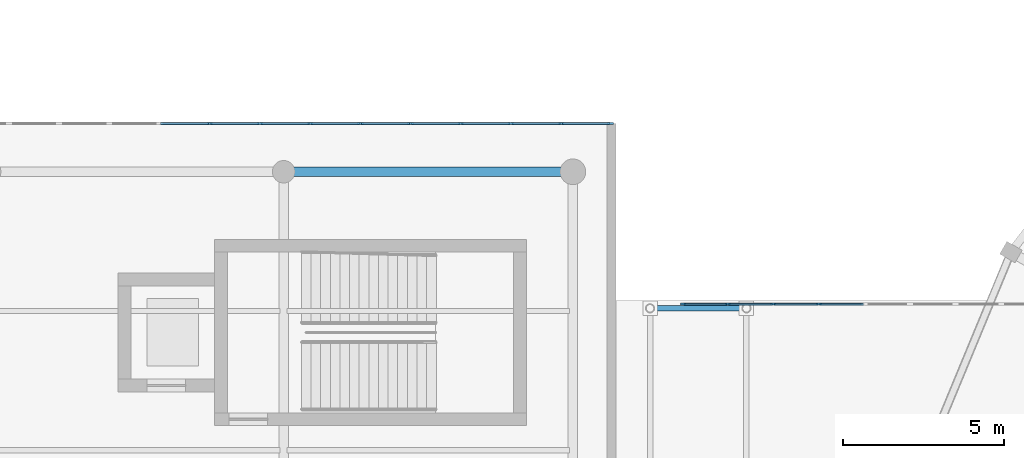
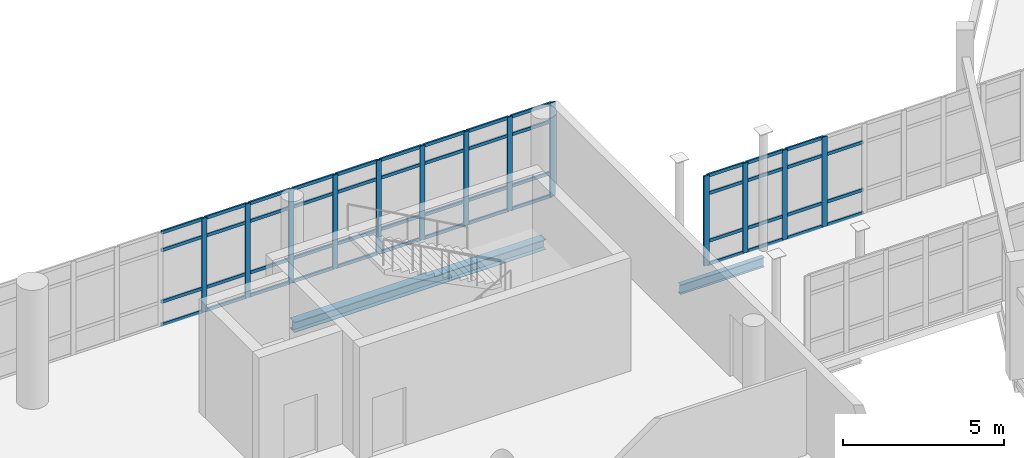
# One storey, part 51 of 122: 64 members, 2 beams, 2 elements without a shape of their own.
"""IFC4 building model written with IfcOpenShell, lengths in metres."""

from ifc_helpers import new_model, si_unit, direction, frame, origin, origin_2d, place, context, subcontext, project, spatial, rectangle, i_section, extrude, material, layer, layer_set, material_profile, profile_set, type_object, element, aggregate, save


model = new_model("IFC4")

# Units and contexts
model_context = context("Model", 3, precision=1e-05, world=origin(), true_north=direction((0.0, 1.0)))
body_context = subcontext(model_context, "Body", "Model", "MODEL_VIEW")
ifc_project = project(units=[si_unit("LENGTHUNIT", "METRE"), si_unit("AREAUNIT", "SQUARE_METRE"), si_unit("VOLUMEUNIT", "CUBIC_METRE"), si_unit("PLANEANGLEUNIT", "RADIAN"), si_unit("MASSUNIT", "GRAM", prefix="KILO")], contexts=[model_context])

# Site, building, storey
site_placement = place(None, origin())
site = spatial("IfcSite", under=ifc_project, at=site_placement, CompositionType="ELEMENT")
building_placement = place(site_placement, origin())
building = spatial("IfcBuilding", under=site, at=building_placement, Name="Sohan Crest Arena", CompositionType="ELEMENT")
storey_placement = place(building_placement, origin())
storey = spatial("IfcBuildingStorey", under=building, at=storey_placement, Name="L00", CompositionType="ELEMENT", Elevation=0.0)

# Curtain wall, members
ifc_material_1 = material(Name="Thermally broken anodised aluminium", Category="aluminium")
ifc_layer_1 = layer(ifc_material_1, 0.199951171875, Name="Thermally broken anodised aluminium")
ifc_layer_set_1 = layer_set([ifc_layer_1], Name="Thermally broken anodised aluminium")
curtain_wall_type_1 = type_object("IfcCurtainWallType", Name="ARC-CW02", PredefinedType="NOTDEFINED", material=ifc_layer_set_1)
curtain_wall_1_placement = place(storey_placement, origin())
curtain_wall_1 = element("IfcCurtainWall", 1, at=curtain_wall_1_placement, inside=storey, type_object=curtain_wall_type_1, Name="Unitised curtain wall CW-203", PredefinedType="NOTDEFINED")
ifc_material_profile_1 = material_profile(ifc_material_1, rectangle(XDim=0.06494140625, YDim=0.179931640625, at=origin_2d()), Name="ALU-MULL 65x180")
ifc_profile_set_1 = profile_set([ifc_material_profile_1], Name="Thermally broken anodised aluminium")
member_type_1 = type_object("IfcMemberType", Name="ARC-CW-ML02", PredefinedType="MULLION", material=ifc_profile_set_1)
member_1_placement = place(storey_placement, frame((43.967529296875, 106.0, 0.0), z_axis=(0.0, 0.0, 1.0), x_axis=(0.0, -1.0, 0.0)))
member_1 = element("IfcMember", 2, at=member_1_placement, type_object=member_type_1, Name="CW-203 mullion 1", PredefinedType="MULLION", context=body_context, shape_type="SweptSolid", body=[
    extrude(rectangle(XDim=0.06494140625, YDim=0.179931640625, at=origin_2d()), origin(), (0.0, 0.0, 1.0), 3.550048828125),
])
member_2_placement = place(storey_placement, frame((42.4375, 106.0, 0.0), z_axis=(0.0, 0.0, 1.0), x_axis=(0.0, -1.0, 0.0)))
member_2 = element("IfcMember", 3, at=member_2_placement, type_object=member_type_1, Name="CW-203 mullion 2", PredefinedType="MULLION", context=body_context, shape_type="SweptSolid", body=[
    extrude(rectangle(XDim=0.06494140625, YDim=0.179931640625, at=origin_2d()), origin(), (0.0, 0.0, 1.0), 3.550048828125),
])
member_3_placement = place(storey_placement, frame((40.875, 106.0, 0.0), z_axis=(0.0, 0.0, 1.0), x_axis=(0.0, -1.0, 0.0)))
member_3 = element("IfcMember", 4, at=member_3_placement, type_object=member_type_1, Name="CW-203 mullion 3", PredefinedType="MULLION", context=body_context, shape_type="SweptSolid", body=[
    extrude(rectangle(XDim=0.06494140625, YDim=0.179931640625, at=origin_2d()), origin(), (0.0, 0.0, 1.0), 3.550048828125),
])
member_4_placement = place(storey_placement, frame((39.3125, 106.0, 0.0), z_axis=(0.0, 0.0, 1.0), x_axis=(0.0, -1.0, 0.0)))
member_4 = element("IfcMember", 5, at=member_4_placement, type_object=member_type_1, Name="CW-203 mullion 4", PredefinedType="MULLION", context=body_context, shape_type="SweptSolid", body=[
    extrude(rectangle(XDim=0.06494140625, YDim=0.179931640625, at=origin_2d()), origin(), (0.0, 0.0, 1.0), 3.550048828125),
])
member_5_placement = place(storey_placement, frame((37.75, 106.0, 0.0), z_axis=(0.0, 0.0, 1.0), x_axis=(0.0, -1.0, 0.0)))
member_5 = element("IfcMember", 6, at=member_5_placement, type_object=member_type_1, Name="CW-203 mullion 5", PredefinedType="MULLION", context=body_context, shape_type="SweptSolid", body=[
    extrude(rectangle(XDim=0.06494140625, YDim=0.179931640625, at=origin_2d()), origin(), (0.0, 0.0, 1.0), 3.550048828125),
])
member_6_placement = place(storey_placement, frame((36.1875, 106.0, 0.0), z_axis=(0.0, 0.0, 1.0), x_axis=(0.0, -1.0, 0.0)))
member_6 = element("IfcMember", 7, at=member_6_placement, type_object=member_type_1, Name="CW-203 mullion 6", PredefinedType="MULLION", context=body_context, shape_type="SweptSolid", body=[
    extrude(rectangle(XDim=0.06494140625, YDim=0.179931640625, at=origin_2d()), origin(), (0.0, 0.0, 1.0), 3.550048828125),
])
member_7_placement = place(storey_placement, frame((34.625, 106.0, 0.0), z_axis=(0.0, 0.0, 1.0), x_axis=(0.0, -1.0, 0.0)))
member_7 = element("IfcMember", 8, at=member_7_placement, type_object=member_type_1, Name="CW-203 mullion 7", PredefinedType="MULLION", context=body_context, shape_type="SweptSolid", body=[
    extrude(rectangle(XDim=0.06494140625, YDim=0.179931640625, at=origin_2d()), origin(), (0.0, 0.0, 1.0), 3.550048828125),
])
member_8_placement = place(storey_placement, frame((33.0625, 106.0, 0.0), z_axis=(0.0, 0.0, 1.0), x_axis=(0.0, -1.0, 0.0)))
member_8 = element("IfcMember", 9, at=member_8_placement, type_object=member_type_1, Name="CW-203 mullion 8", PredefinedType="MULLION", context=body_context, shape_type="SweptSolid", body=[
    extrude(rectangle(XDim=0.06494140625, YDim=0.179931640625, at=origin_2d()), origin(), (0.0, 0.0, 1.0), 3.550048828125),
])
member_9_placement = place(storey_placement, frame((31.5, 106.0, 0.0), z_axis=(0.0, 0.0, 1.0), x_axis=(0.0, -1.0, 0.0)))
member_9 = element("IfcMember", 10, at=member_9_placement, type_object=member_type_1, Name="CW-203 mullion 9", PredefinedType="MULLION", context=body_context, shape_type="SweptSolid", body=[
    extrude(rectangle(XDim=0.06494140625, YDim=0.179931640625, at=origin_2d()), origin(), (0.0, 0.0, 1.0), 3.550048828125),
])

ifc_layer_2 = layer(ifc_material_1, 0.18994140625, Name="Thermally broken anodised aluminium")
ifc_layer_set_2 = layer_set([ifc_layer_2], Name="Thermally broken anodised aluminium")
curtain_wall_type_2 = type_object("IfcCurtainWallType", Name="ARC-CW05", PredefinedType="NOTDEFINED", material=ifc_layer_set_2)
curtain_wall_2_placement = place(storey_placement, origin())
curtain_wall_2 = element("IfcCurtainWall", 11, at=curtain_wall_2_placement, inside=storey, type_object=curtain_wall_type_2, Name="Unitised curtain wall CW-232", PredefinedType="NOTDEFINED")
member_10_placement = place(storey_placement, frame((46.232421875, 100.3798828125, 0.0), z_axis=(0.0, 0.0, 1.0), x_axis=(0.0, 1.0, 0.0)))
member_10 = element("IfcMember", 12, at=member_10_placement, type_object=member_type_1, Name="CW-232 mullion 1", PredefinedType="MULLION", context=body_context, shape_type="SweptSolid", body=[
    extrude(rectangle(XDim=0.06494140625, YDim=0.179931640625, at=origin_2d()), origin(), (0.0, 0.0, 1.0), 3.39990234375),
])
member_11_placement = place(storey_placement, frame((47.6181640625, 100.3798828125, 0.0), z_axis=(0.0, 0.0, 1.0), x_axis=(0.0, 1.0, 0.0)))
member_11 = element("IfcMember", 13, at=member_11_placement, type_object=member_type_1, Name="CW-232 mullion 2", PredefinedType="MULLION", context=body_context, shape_type="SweptSolid", body=[
    extrude(rectangle(XDim=0.06494140625, YDim=0.179931640625, at=origin_2d()), origin(), (0.0, 0.0, 1.0), 3.39990234375),
])
member_12_placement = place(storey_placement, frame((49.036376953125, 100.3798828125, 0.0), z_axis=(0.0, 0.0, 1.0), x_axis=(0.0, 1.0, 0.0)))
member_12 = element("IfcMember", 14, at=member_12_placement, type_object=member_type_1, Name="CW-232 mullion 3", PredefinedType="MULLION", context=body_context, shape_type="SweptSolid", body=[
    extrude(rectangle(XDim=0.06494140625, YDim=0.179931640625, at=origin_2d()), origin(), (0.0, 0.0, 1.0), 3.39990234375),
])
member_13_placement = place(storey_placement, frame((50.45458984375, 100.3798828125, 0.0), z_axis=(0.0, 0.0, 1.0), x_axis=(0.0, 1.0, 0.0)))
member_13 = element("IfcMember", 15, at=member_13_placement, type_object=member_type_1, Name="CW-232 mullion 4", PredefinedType="MULLION", context=body_context, shape_type="SweptSolid", body=[
    extrude(rectangle(XDim=0.06494140625, YDim=0.179931640625, at=origin_2d()), origin(), (0.0, 0.0, 1.0), 3.39990234375),
])

# Member
ifc_material_profile_2 = material_profile(ifc_material_1, rectangle(XDim=0.06005859375, YDim=0.1201171875, at=origin_2d()), Name="ALU-TRAN 60x120")
ifc_profile_set_2 = profile_set([ifc_material_profile_2], Name="Thermally broken anodised aluminium")
member_type_2 = type_object("IfcMemberType", Name="ARC-CW-TR01", PredefinedType="USERDEFINED", material=ifc_profile_set_2)
member_14_placement = place(storey_placement, frame((43.93505859375, 106.0, 0.030029296875), z_axis=(-1.0, 0.0, 0.0), x_axis=(0.0, -1.0, 0.0)))
member_14 = element("IfcMember", 16, at=member_14_placement, type_object=member_type_2, Name="CW-203 transom 1.1", ObjectType="TRANSOM", PredefinedType="USERDEFINED", context=body_context, shape_type="SweptSolid", body=[
    extrude(rectangle(XDim=0.06005859375, YDim=0.1201171875, at=origin_2d()), origin(), (0.0, 0.0, 1.0), 1.465087890625),
])

member_15_placement = place(storey_placement, frame((43.93505859375, 106.0, 0.89990234375), z_axis=(-1.0, 0.0, 0.0), x_axis=(0.0, -1.0, 0.0)))
member_15 = element("IfcMember", 17, at=member_15_placement, type_object=member_type_2, Name="CW-203 transom 1.2", ObjectType="TRANSOM", PredefinedType="USERDEFINED", context=body_context, shape_type="SweptSolid", body=[
    extrude(rectangle(XDim=0.06005859375, YDim=0.1201171875, at=origin_2d()), origin(), (0.0, 0.0, 1.0), 1.465087890625),
])

member_16_placement = place(storey_placement, frame((43.93505859375, 106.0, 2.85009765625), z_axis=(-1.0, 0.0, 0.0), x_axis=(0.0, -1.0, 0.0)))
member_16 = element("IfcMember", 18, at=member_16_placement, type_object=member_type_2, Name="CW-203 transom 1.3", ObjectType="TRANSOM", PredefinedType="USERDEFINED", context=body_context, shape_type="SweptSolid", body=[
    extrude(rectangle(XDim=0.06005859375, YDim=0.1201171875, at=origin_2d()), origin(), (0.0, 0.0, 1.0), 1.465087890625),
])

member_17_placement = place(storey_placement, frame((43.93505859375, 106.0, 3.52001953125), z_axis=(-1.0, 0.0, 0.0), x_axis=(0.0, -1.0, 0.0)))
member_17 = element("IfcMember", 19, at=member_17_placement, type_object=member_type_2, Name="CW-203 transom 1.4", ObjectType="TRANSOM", PredefinedType="USERDEFINED", context=body_context, shape_type="SweptSolid", body=[
    extrude(rectangle(XDim=0.06005859375, YDim=0.1201171875, at=origin_2d()), origin(), (0.0, 0.0, 1.0), 1.465087890625),
])

member_18_placement = place(storey_placement, frame((42.405029296875, 106.0, 0.030029296875), z_axis=(-1.0, 0.0, 0.0), x_axis=(0.0, -1.0, 0.0)))
member_18 = element("IfcMember", 20, at=member_18_placement, type_object=member_type_2, Name="CW-203 transom 2.1", ObjectType="TRANSOM", PredefinedType="USERDEFINED", context=body_context, shape_type="SweptSolid", body=[
    extrude(rectangle(XDim=0.06005859375, YDim=0.1201171875, at=origin_2d()), origin(), (0.0, 0.0, 1.0), 1.49755859375),
])

member_19_placement = place(storey_placement, frame((42.405029296875, 106.0, 0.89990234375), z_axis=(-1.0, 0.0, 0.0), x_axis=(0.0, -1.0, 0.0)))
member_19 = element("IfcMember", 21, at=member_19_placement, type_object=member_type_2, Name="CW-203 transom 2.2", ObjectType="TRANSOM", PredefinedType="USERDEFINED", context=body_context, shape_type="SweptSolid", body=[
    extrude(rectangle(XDim=0.06005859375, YDim=0.1201171875, at=origin_2d()), origin(), (0.0, 0.0, 1.0), 1.49755859375),
])

member_20_placement = place(storey_placement, frame((42.405029296875, 106.0, 2.85009765625), z_axis=(-1.0, 0.0, 0.0), x_axis=(0.0, -1.0, 0.0)))
member_20 = element("IfcMember", 22, at=member_20_placement, type_object=member_type_2, Name="CW-203 transom 2.3", ObjectType="TRANSOM", PredefinedType="USERDEFINED", context=body_context, shape_type="SweptSolid", body=[
    extrude(rectangle(XDim=0.06005859375, YDim=0.1201171875, at=origin_2d()), origin(), (0.0, 0.0, 1.0), 1.49755859375),
])

member_21_placement = place(storey_placement, frame((42.405029296875, 106.0, 3.52001953125), z_axis=(-1.0, 0.0, 0.0), x_axis=(0.0, -1.0, 0.0)))
member_21 = element("IfcMember", 23, at=member_21_placement, type_object=member_type_2, Name="CW-203 transom 2.4", ObjectType="TRANSOM", PredefinedType="USERDEFINED", context=body_context, shape_type="SweptSolid", body=[
    extrude(rectangle(XDim=0.06005859375, YDim=0.1201171875, at=origin_2d()), origin(), (0.0, 0.0, 1.0), 1.49755859375),
])

member_22_placement = place(storey_placement, frame((40.842529296875, 106.0, 0.030029296875), z_axis=(-1.0, 0.0, 0.0), x_axis=(0.0, -1.0, 0.0)))
member_22 = element("IfcMember", 24, at=member_22_placement, type_object=member_type_2, Name="CW-203 transom 3.1", ObjectType="TRANSOM", PredefinedType="USERDEFINED", context=body_context, shape_type="SweptSolid", body=[
    extrude(rectangle(XDim=0.06005859375, YDim=0.1201171875, at=origin_2d()), origin(), (0.0, 0.0, 1.0), 1.49755859375),
])

member_23_placement = place(storey_placement, frame((40.842529296875, 106.0, 0.89990234375), z_axis=(-1.0, 0.0, 0.0), x_axis=(0.0, -1.0, 0.0)))
member_23 = element("IfcMember", 25, at=member_23_placement, type_object=member_type_2, Name="CW-203 transom 3.2", ObjectType="TRANSOM", PredefinedType="USERDEFINED", context=body_context, shape_type="SweptSolid", body=[
    extrude(rectangle(XDim=0.06005859375, YDim=0.1201171875, at=origin_2d()), origin(), (0.0, 0.0, 1.0), 1.49755859375),
])

member_24_placement = place(storey_placement, frame((40.842529296875, 106.0, 2.85009765625), z_axis=(-1.0, 0.0, 0.0), x_axis=(0.0, -1.0, 0.0)))
member_24 = element("IfcMember", 26, at=member_24_placement, type_object=member_type_2, Name="CW-203 transom 3.3", ObjectType="TRANSOM", PredefinedType="USERDEFINED", context=body_context, shape_type="SweptSolid", body=[
    extrude(rectangle(XDim=0.06005859375, YDim=0.1201171875, at=origin_2d()), origin(), (0.0, 0.0, 1.0), 1.49755859375),
])

member_25_placement = place(storey_placement, frame((40.842529296875, 106.0, 3.52001953125), z_axis=(-1.0, 0.0, 0.0), x_axis=(0.0, -1.0, 0.0)))
member_25 = element("IfcMember", 27, at=member_25_placement, type_object=member_type_2, Name="CW-203 transom 3.4", ObjectType="TRANSOM", PredefinedType="USERDEFINED", context=body_context, shape_type="SweptSolid", body=[
    extrude(rectangle(XDim=0.06005859375, YDim=0.1201171875, at=origin_2d()), origin(), (0.0, 0.0, 1.0), 1.49755859375),
])

member_26_placement = place(storey_placement, frame((39.280029296875, 106.0, 0.030029296875), z_axis=(-1.0, 0.0, 0.0), x_axis=(0.0, -1.0, 0.0)))
member_26 = element("IfcMember", 28, at=member_26_placement, type_object=member_type_2, Name="CW-203 transom 4.1", ObjectType="TRANSOM", PredefinedType="USERDEFINED", context=body_context, shape_type="SweptSolid", body=[
    extrude(rectangle(XDim=0.06005859375, YDim=0.1201171875, at=origin_2d()), origin(), (0.0, 0.0, 1.0), 1.49755859375),
])

member_27_placement = place(storey_placement, frame((39.280029296875, 106.0, 0.89990234375), z_axis=(-1.0, 0.0, 0.0), x_axis=(0.0, -1.0, 0.0)))
member_27 = element("IfcMember", 29, at=member_27_placement, type_object=member_type_2, Name="CW-203 transom 4.2", ObjectType="TRANSOM", PredefinedType="USERDEFINED", context=body_context, shape_type="SweptSolid", body=[
    extrude(rectangle(XDim=0.06005859375, YDim=0.1201171875, at=origin_2d()), origin(), (0.0, 0.0, 1.0), 1.49755859375),
])

member_28_placement = place(storey_placement, frame((39.280029296875, 106.0, 2.85009765625), z_axis=(-1.0, 0.0, 0.0), x_axis=(0.0, -1.0, 0.0)))
member_28 = element("IfcMember", 30, at=member_28_placement, type_object=member_type_2, Name="CW-203 transom 4.3", ObjectType="TRANSOM", PredefinedType="USERDEFINED", context=body_context, shape_type="SweptSolid", body=[
    extrude(rectangle(XDim=0.06005859375, YDim=0.1201171875, at=origin_2d()), origin(), (0.0, 0.0, 1.0), 1.49755859375),
])

member_29_placement = place(storey_placement, frame((39.280029296875, 106.0, 3.52001953125), z_axis=(-1.0, 0.0, 0.0), x_axis=(0.0, -1.0, 0.0)))
member_29 = element("IfcMember", 31, at=member_29_placement, type_object=member_type_2, Name="CW-203 transom 4.4", ObjectType="TRANSOM", PredefinedType="USERDEFINED", context=body_context, shape_type="SweptSolid", body=[
    extrude(rectangle(XDim=0.06005859375, YDim=0.1201171875, at=origin_2d()), origin(), (0.0, 0.0, 1.0), 1.49755859375),
])

member_30_placement = place(storey_placement, frame((37.717529296875, 106.0, 0.030029296875), z_axis=(-1.0, 0.0, 0.0), x_axis=(0.0, -1.0, 0.0)))
member_30 = element("IfcMember", 32, at=member_30_placement, type_object=member_type_2, Name="CW-203 transom 5.1", ObjectType="TRANSOM", PredefinedType="USERDEFINED", context=body_context, shape_type="SweptSolid", body=[
    extrude(rectangle(XDim=0.06005859375, YDim=0.1201171875, at=origin_2d()), origin(), (0.0, 0.0, 1.0), 1.49755859375),
])

member_31_placement = place(storey_placement, frame((37.717529296875, 106.0, 0.89990234375), z_axis=(-1.0, 0.0, 0.0), x_axis=(0.0, -1.0, 0.0)))
member_31 = element("IfcMember", 33, at=member_31_placement, type_object=member_type_2, Name="CW-203 transom 5.2", ObjectType="TRANSOM", PredefinedType="USERDEFINED", context=body_context, shape_type="SweptSolid", body=[
    extrude(rectangle(XDim=0.06005859375, YDim=0.1201171875, at=origin_2d()), origin(), (0.0, 0.0, 1.0), 1.49755859375),
])

member_32_placement = place(storey_placement, frame((37.717529296875, 106.0, 2.85009765625), z_axis=(-1.0, 0.0, 0.0), x_axis=(0.0, -1.0, 0.0)))
member_32 = element("IfcMember", 34, at=member_32_placement, type_object=member_type_2, Name="CW-203 transom 5.3", ObjectType="TRANSOM", PredefinedType="USERDEFINED", context=body_context, shape_type="SweptSolid", body=[
    extrude(rectangle(XDim=0.06005859375, YDim=0.1201171875, at=origin_2d()), origin(), (0.0, 0.0, 1.0), 1.49755859375),
])

member_33_placement = place(storey_placement, frame((37.717529296875, 106.0, 3.52001953125), z_axis=(-1.0, 0.0, 0.0), x_axis=(0.0, -1.0, 0.0)))
member_33 = element("IfcMember", 35, at=member_33_placement, type_object=member_type_2, Name="CW-203 transom 5.4", ObjectType="TRANSOM", PredefinedType="USERDEFINED", context=body_context, shape_type="SweptSolid", body=[
    extrude(rectangle(XDim=0.06005859375, YDim=0.1201171875, at=origin_2d()), origin(), (0.0, 0.0, 1.0), 1.49755859375),
])

member_34_placement = place(storey_placement, frame((36.155029296875, 106.0, 0.030029296875), z_axis=(-1.0, 0.0, 0.0), x_axis=(0.0, -1.0, 0.0)))
member_34 = element("IfcMember", 36, at=member_34_placement, type_object=member_type_2, Name="CW-203 transom 6.1", ObjectType="TRANSOM", PredefinedType="USERDEFINED", context=body_context, shape_type="SweptSolid", body=[
    extrude(rectangle(XDim=0.06005859375, YDim=0.1201171875, at=origin_2d()), origin(), (0.0, 0.0, 1.0), 1.49755859375),
])

member_35_placement = place(storey_placement, frame((36.155029296875, 106.0, 0.89990234375), z_axis=(-1.0, 0.0, 0.0), x_axis=(0.0, -1.0, 0.0)))
member_35 = element("IfcMember", 37, at=member_35_placement, type_object=member_type_2, Name="CW-203 transom 6.2", ObjectType="TRANSOM", PredefinedType="USERDEFINED", context=body_context, shape_type="SweptSolid", body=[
    extrude(rectangle(XDim=0.06005859375, YDim=0.1201171875, at=origin_2d()), origin(), (0.0, 0.0, 1.0), 1.49755859375),
])

member_36_placement = place(storey_placement, frame((36.155029296875, 106.0, 2.85009765625), z_axis=(-1.0, 0.0, 0.0), x_axis=(0.0, -1.0, 0.0)))
member_36 = element("IfcMember", 38, at=member_36_placement, type_object=member_type_2, Name="CW-203 transom 6.3", ObjectType="TRANSOM", PredefinedType="USERDEFINED", context=body_context, shape_type="SweptSolid", body=[
    extrude(rectangle(XDim=0.06005859375, YDim=0.1201171875, at=origin_2d()), origin(), (0.0, 0.0, 1.0), 1.49755859375),
])

member_37_placement = place(storey_placement, frame((36.155029296875, 106.0, 3.52001953125), z_axis=(-1.0, 0.0, 0.0), x_axis=(0.0, -1.0, 0.0)))
member_37 = element("IfcMember", 39, at=member_37_placement, type_object=member_type_2, Name="CW-203 transom 6.4", ObjectType="TRANSOM", PredefinedType="USERDEFINED", context=body_context, shape_type="SweptSolid", body=[
    extrude(rectangle(XDim=0.06005859375, YDim=0.1201171875, at=origin_2d()), origin(), (0.0, 0.0, 1.0), 1.49755859375),
])

member_38_placement = place(storey_placement, frame((34.592529296875, 106.0, 0.030029296875), z_axis=(-1.0, 0.0, 0.0), x_axis=(0.0, -1.0, 0.0)))
member_38 = element("IfcMember", 40, at=member_38_placement, type_object=member_type_2, Name="CW-203 transom 7.1", ObjectType="TRANSOM", PredefinedType="USERDEFINED", context=body_context, shape_type="SweptSolid", body=[
    extrude(rectangle(XDim=0.06005859375, YDim=0.1201171875, at=origin_2d()), origin(), (0.0, 0.0, 1.0), 1.49755859375),
])

member_39_placement = place(storey_placement, frame((34.592529296875, 106.0, 0.89990234375), z_axis=(-1.0, 0.0, 0.0), x_axis=(0.0, -1.0, 0.0)))
member_39 = element("IfcMember", 41, at=member_39_placement, type_object=member_type_2, Name="CW-203 transom 7.2", ObjectType="TRANSOM", PredefinedType="USERDEFINED", context=body_context, shape_type="SweptSolid", body=[
    extrude(rectangle(XDim=0.06005859375, YDim=0.1201171875, at=origin_2d()), origin(), (0.0, 0.0, 1.0), 1.49755859375),
])

member_40_placement = place(storey_placement, frame((34.592529296875, 106.0, 2.85009765625), z_axis=(-1.0, 0.0, 0.0), x_axis=(0.0, -1.0, 0.0)))
member_40 = element("IfcMember", 42, at=member_40_placement, type_object=member_type_2, Name="CW-203 transom 7.3", ObjectType="TRANSOM", PredefinedType="USERDEFINED", context=body_context, shape_type="SweptSolid", body=[
    extrude(rectangle(XDim=0.06005859375, YDim=0.1201171875, at=origin_2d()), origin(), (0.0, 0.0, 1.0), 1.49755859375),
])

member_41_placement = place(storey_placement, frame((34.592529296875, 106.0, 3.52001953125), z_axis=(-1.0, 0.0, 0.0), x_axis=(0.0, -1.0, 0.0)))
member_41 = element("IfcMember", 43, at=member_41_placement, type_object=member_type_2, Name="CW-203 transom 7.4", ObjectType="TRANSOM", PredefinedType="USERDEFINED", context=body_context, shape_type="SweptSolid", body=[
    extrude(rectangle(XDim=0.06005859375, YDim=0.1201171875, at=origin_2d()), origin(), (0.0, 0.0, 1.0), 1.49755859375),
])

member_42_placement = place(storey_placement, frame((33.030029296875, 106.0, 0.030029296875), z_axis=(-1.0, 0.0, 0.0), x_axis=(0.0, -1.0, 0.0)))
member_42 = element("IfcMember", 44, at=member_42_placement, type_object=member_type_2, Name="CW-203 transom 8.1", ObjectType="TRANSOM", PredefinedType="USERDEFINED", context=body_context, shape_type="SweptSolid", body=[
    extrude(rectangle(XDim=0.06005859375, YDim=0.1201171875, at=origin_2d()), origin(), (0.0, 0.0, 1.0), 1.49755859375),
])

member_43_placement = place(storey_placement, frame((33.030029296875, 106.0, 0.89990234375), z_axis=(-1.0, 0.0, 0.0), x_axis=(0.0, -1.0, 0.0)))
member_43 = element("IfcMember", 45, at=member_43_placement, type_object=member_type_2, Name="CW-203 transom 8.2", ObjectType="TRANSOM", PredefinedType="USERDEFINED", context=body_context, shape_type="SweptSolid", body=[
    extrude(rectangle(XDim=0.06005859375, YDim=0.1201171875, at=origin_2d()), origin(), (0.0, 0.0, 1.0), 1.49755859375),
])

member_44_placement = place(storey_placement, frame((33.030029296875, 106.0, 2.85009765625), z_axis=(-1.0, 0.0, 0.0), x_axis=(0.0, -1.0, 0.0)))
member_44 = element("IfcMember", 46, at=member_44_placement, type_object=member_type_2, Name="CW-203 transom 8.3", ObjectType="TRANSOM", PredefinedType="USERDEFINED", context=body_context, shape_type="SweptSolid", body=[
    extrude(rectangle(XDim=0.06005859375, YDim=0.1201171875, at=origin_2d()), origin(), (0.0, 0.0, 1.0), 1.49755859375),
])

member_45_placement = place(storey_placement, frame((33.030029296875, 106.0, 3.52001953125), z_axis=(-1.0, 0.0, 0.0), x_axis=(0.0, -1.0, 0.0)))
member_45 = element("IfcMember", 47, at=member_45_placement, type_object=member_type_2, Name="CW-203 transom 8.4", ObjectType="TRANSOM", PredefinedType="USERDEFINED", context=body_context, shape_type="SweptSolid", body=[
    extrude(rectangle(XDim=0.06005859375, YDim=0.1201171875, at=origin_2d()), origin(), (0.0, 0.0, 1.0), 1.49755859375),
])

member_46_placement = place(storey_placement, frame((31.467529296875, 106.0, 0.030029296875), z_axis=(-1.0, 0.0, 0.0), x_axis=(0.0, -1.0, 0.0)))
member_46 = element("IfcMember", 48, at=member_46_placement, type_object=member_type_2, Name="CW-203 transom 9.1", ObjectType="TRANSOM", PredefinedType="USERDEFINED", context=body_context, shape_type="SweptSolid", body=[
    extrude(rectangle(XDim=0.06005859375, YDim=0.1201171875, at=origin_2d()), origin(), (0.0, 0.0, 1.0), 1.49755859375),
])

member_47_placement = place(storey_placement, frame((31.467529296875, 106.0, 0.89990234375), z_axis=(-1.0, 0.0, 0.0), x_axis=(0.0, -1.0, 0.0)))
member_47 = element("IfcMember", 49, at=member_47_placement, type_object=member_type_2, Name="CW-203 transom 9.2", ObjectType="TRANSOM", PredefinedType="USERDEFINED", context=body_context, shape_type="SweptSolid", body=[
    extrude(rectangle(XDim=0.06005859375, YDim=0.1201171875, at=origin_2d()), origin(), (0.0, 0.0, 1.0), 1.49755859375),
])

member_48_placement = place(storey_placement, frame((31.467529296875, 106.0, 2.85009765625), z_axis=(-1.0, 0.0, 0.0), x_axis=(0.0, -1.0, 0.0)))
member_48 = element("IfcMember", 50, at=member_48_placement, type_object=member_type_2, Name="CW-203 transom 9.3", ObjectType="TRANSOM", PredefinedType="USERDEFINED", context=body_context, shape_type="SweptSolid", body=[
    extrude(rectangle(XDim=0.06005859375, YDim=0.1201171875, at=origin_2d()), origin(), (0.0, 0.0, 1.0), 1.49755859375),
])

member_49_placement = place(storey_placement, frame((31.467529296875, 106.0, 3.52001953125), z_axis=(-1.0, 0.0, 0.0), x_axis=(0.0, -1.0, 0.0)))
member_49 = element("IfcMember", 51, at=member_49_placement, type_object=member_type_2, Name="CW-203 transom 9.4", ObjectType="TRANSOM", PredefinedType="USERDEFINED", context=body_context, shape_type="SweptSolid", body=[
    extrude(rectangle(XDim=0.06005859375, YDim=0.1201171875, at=origin_2d()), origin(), (0.0, 0.0, 1.0), 1.49755859375),
])

aggregate(curtain_wall_1, [member_1, member_2, member_3, member_4, member_5, member_6, member_7, member_8, member_9, member_14, member_15, member_16, member_17, member_18, member_19, member_20, member_21, member_22, member_23, member_24, member_25, member_26, member_27, member_28, member_29, member_30, member_31, member_32, member_33, member_34, member_35, member_36, member_37, member_38, member_39, member_40, member_41, member_42, member_43, member_44, member_45, member_46, member_47, member_48, member_49])

member_50_placement = place(storey_placement, frame((46.264892578125, 100.3798828125, 0.030029296875), z_axis=(1.0, 0.0, 0.0), x_axis=(0.0, 1.0, 0.0)))
member_50 = element("IfcMember", 52, at=member_50_placement, type_object=member_type_2, Name="CW-232 transom 1.1", ObjectType="TRANSOM", PredefinedType="USERDEFINED", context=body_context, shape_type="SweptSolid", body=[
    extrude(rectangle(XDim=0.06005859375, YDim=0.1201171875, at=origin_2d()), origin(), (0.0, 0.0, 1.0), 1.32080078125),
])

member_51_placement = place(storey_placement, frame((46.264892578125, 100.3798828125, 0.89990234375), z_axis=(1.0, 0.0, 0.0), x_axis=(0.0, 1.0, 0.0)))
member_51 = element("IfcMember", 53, at=member_51_placement, type_object=member_type_2, Name="CW-232 transom 1.2", ObjectType="TRANSOM", PredefinedType="USERDEFINED", context=body_context, shape_type="SweptSolid", body=[
    extrude(rectangle(XDim=0.06005859375, YDim=0.1201171875, at=origin_2d()), origin(), (0.0, 0.0, 1.0), 1.32080078125),
])

member_52_placement = place(storey_placement, frame((46.264892578125, 100.3798828125, 2.699951171875), z_axis=(1.0, 0.0, 0.0), x_axis=(0.0, 1.0, 0.0)))
member_52 = element("IfcMember", 54, at=member_52_placement, type_object=member_type_2, Name="CW-232 transom 1.3", ObjectType="TRANSOM", PredefinedType="USERDEFINED", context=body_context, shape_type="SweptSolid", body=[
    extrude(rectangle(XDim=0.06005859375, YDim=0.1201171875, at=origin_2d()), origin(), (0.0, 0.0, 1.0), 1.32080078125),
])

member_53_placement = place(storey_placement, frame((46.264892578125, 100.3798828125, 3.3701171875), z_axis=(1.0, 0.0, 0.0), x_axis=(0.0, 1.0, 0.0)))
member_53 = element("IfcMember", 55, at=member_53_placement, type_object=member_type_2, Name="CW-232 transom 1.4", ObjectType="TRANSOM", PredefinedType="USERDEFINED", context=body_context, shape_type="SweptSolid", body=[
    extrude(rectangle(XDim=0.06005859375, YDim=0.1201171875, at=origin_2d()), origin(), (0.0, 0.0, 1.0), 1.32080078125),
])

member_54_placement = place(storey_placement, frame((47.650634765625, 100.3798828125, 0.030029296875), z_axis=(1.0, 0.0, 0.0), x_axis=(0.0, 1.0, 0.0)))
member_54 = element("IfcMember", 56, at=member_54_placement, type_object=member_type_2, Name="CW-232 transom 2.1", ObjectType="TRANSOM", PredefinedType="USERDEFINED", context=body_context, shape_type="SweptSolid", body=[
    extrude(rectangle(XDim=0.06005859375, YDim=0.1201171875, at=origin_2d()), origin(), (0.0, 0.0, 1.0), 1.353271484375),
])

member_55_placement = place(storey_placement, frame((47.650634765625, 100.3798828125, 0.89990234375), z_axis=(1.0, 0.0, 0.0), x_axis=(0.0, 1.0, 0.0)))
member_55 = element("IfcMember", 57, at=member_55_placement, type_object=member_type_2, Name="CW-232 transom 2.2", ObjectType="TRANSOM", PredefinedType="USERDEFINED", context=body_context, shape_type="SweptSolid", body=[
    extrude(rectangle(XDim=0.06005859375, YDim=0.1201171875, at=origin_2d()), origin(), (0.0, 0.0, 1.0), 1.353271484375),
])

member_56_placement = place(storey_placement, frame((47.650634765625, 100.3798828125, 2.699951171875), z_axis=(1.0, 0.0, 0.0), x_axis=(0.0, 1.0, 0.0)))
member_56 = element("IfcMember", 58, at=member_56_placement, type_object=member_type_2, Name="CW-232 transom 2.3", ObjectType="TRANSOM", PredefinedType="USERDEFINED", context=body_context, shape_type="SweptSolid", body=[
    extrude(rectangle(XDim=0.06005859375, YDim=0.1201171875, at=origin_2d()), origin(), (0.0, 0.0, 1.0), 1.353271484375),
])

member_57_placement = place(storey_placement, frame((47.650634765625, 100.3798828125, 3.3701171875), z_axis=(1.0, 0.0, 0.0), x_axis=(0.0, 1.0, 0.0)))
member_57 = element("IfcMember", 59, at=member_57_placement, type_object=member_type_2, Name="CW-232 transom 2.4", ObjectType="TRANSOM", PredefinedType="USERDEFINED", context=body_context, shape_type="SweptSolid", body=[
    extrude(rectangle(XDim=0.06005859375, YDim=0.1201171875, at=origin_2d()), origin(), (0.0, 0.0, 1.0), 1.353271484375),
])

member_58_placement = place(storey_placement, frame((49.06884765625, 100.3798828125, 0.030029296875), z_axis=(1.0, 0.0, 0.0), x_axis=(0.0, 1.0, 0.0)))
member_58 = element("IfcMember", 60, at=member_58_placement, type_object=member_type_2, Name="CW-232 transom 3.1", ObjectType="TRANSOM", PredefinedType="USERDEFINED", context=body_context, shape_type="SweptSolid", body=[
    extrude(rectangle(XDim=0.06005859375, YDim=0.1201171875, at=origin_2d()), origin(), (0.0, 0.0, 1.0), 1.353271484375),
])

member_59_placement = place(storey_placement, frame((49.06884765625, 100.3798828125, 0.89990234375), z_axis=(1.0, 0.0, 0.0), x_axis=(0.0, 1.0, 0.0)))
member_59 = element("IfcMember", 61, at=member_59_placement, type_object=member_type_2, Name="CW-232 transom 3.2", ObjectType="TRANSOM", PredefinedType="USERDEFINED", context=body_context, shape_type="SweptSolid", body=[
    extrude(rectangle(XDim=0.06005859375, YDim=0.1201171875, at=origin_2d()), origin(), (0.0, 0.0, 1.0), 1.353271484375),
])

member_60_placement = place(storey_placement, frame((49.06884765625, 100.3798828125, 2.699951171875), z_axis=(1.0, 0.0, 0.0), x_axis=(0.0, 1.0, 0.0)))
member_60 = element("IfcMember", 62, at=member_60_placement, type_object=member_type_2, Name="CW-232 transom 3.3", ObjectType="TRANSOM", PredefinedType="USERDEFINED", context=body_context, shape_type="SweptSolid", body=[
    extrude(rectangle(XDim=0.06005859375, YDim=0.1201171875, at=origin_2d()), origin(), (0.0, 0.0, 1.0), 1.353271484375),
])

member_61_placement = place(storey_placement, frame((49.06884765625, 100.3798828125, 3.3701171875), z_axis=(1.0, 0.0, 0.0), x_axis=(0.0, 1.0, 0.0)))
member_61 = element("IfcMember", 63, at=member_61_placement, type_object=member_type_2, Name="CW-232 transom 3.4", ObjectType="TRANSOM", PredefinedType="USERDEFINED", context=body_context, shape_type="SweptSolid", body=[
    extrude(rectangle(XDim=0.06005859375, YDim=0.1201171875, at=origin_2d()), origin(), (0.0, 0.0, 1.0), 1.353271484375),
])

member_62_placement = place(storey_placement, frame((50.487060546875, 100.3798828125, 0.030029296875), z_axis=(1.0, 0.0, 0.0), x_axis=(0.0, 1.0, 0.0)))
member_62 = element("IfcMember", 64, at=member_62_placement, type_object=member_type_2, Name="CW-232 transom 4.1", ObjectType="TRANSOM", PredefinedType="USERDEFINED", context=body_context, shape_type="SweptSolid", body=[
    extrude(rectangle(XDim=0.06005859375, YDim=0.1201171875, at=origin_2d()), origin(), (0.0, 0.0, 1.0), 1.353271484375),
])

member_63_placement = place(storey_placement, frame((50.487060546875, 100.3798828125, 0.89990234375), z_axis=(1.0, 0.0, 0.0), x_axis=(0.0, 1.0, 0.0)))
member_63 = element("IfcMember", 65, at=member_63_placement, type_object=member_type_2, Name="CW-232 transom 4.2", ObjectType="TRANSOM", PredefinedType="USERDEFINED", context=body_context, shape_type="SweptSolid", body=[
    extrude(rectangle(XDim=0.06005859375, YDim=0.1201171875, at=origin_2d()), origin(), (0.0, 0.0, 1.0), 1.353271484375),
])

member_64_placement = place(storey_placement, frame((50.487060546875, 100.3798828125, 2.699951171875), z_axis=(1.0, 0.0, 0.0), x_axis=(0.0, 1.0, 0.0)))
member_64 = element("IfcMember", 66, at=member_64_placement, type_object=member_type_2, Name="CW-232 transom 4.3", ObjectType="TRANSOM", PredefinedType="USERDEFINED", context=body_context, shape_type="SweptSolid", body=[
    extrude(rectangle(XDim=0.06005859375, YDim=0.1201171875, at=origin_2d()), origin(), (0.0, 0.0, 1.0), 1.353271484375),
])

aggregate(curtain_wall_2, [member_10, member_11, member_12, member_13, member_50, member_51, member_52, member_53, member_54, member_55, member_56, member_57, member_58, member_59, member_60, member_61, member_62, member_63, member_64])

# Beams
ifc_material_2 = material(Name="Steel S355", Category="steel")
ifc_material_profile_3 = material_profile(ifc_material_2, i_section(OverallWidth=0.169921875, OverallDepth=0.360107421875, WebThickness=0.008056640625, FlangeThickness=0.0126953125, at=origin_2d()), Name="IPE 360")
ifc_profile_set_3 = profile_set([ifc_material_profile_3], Name="Steel S355")
beam_type_1 = type_object("IfcBeamType", Name="STR-BM-B02", PredefinedType="JOIST", material=ifc_profile_set_3)
beam_1_placement = place(storey_placement, frame((45.199951171875, 100.25, -0.455078125), z_axis=(1.0, 0.0, 0.0), x_axis=(0.0, 1.0, 0.0)))
element("IfcBeam", 67, at=beam_1_placement, inside=storey, type_object=beam_type_1, Name="Structural beam BG-L00-2941", PredefinedType="JOIST", context=body_context, shape_type="SweptSolid", body=[
    extrude(i_section(OverallWidth=0.169921875, OverallDepth=0.360107421875, WebThickness=0.008056640625, FlangeThickness=0.0126953125, at=origin_2d()), origin(), (0.0, 0.0, 1.0), 3.0),
])
ifc_material_profile_4 = material_profile(ifc_material_2, i_section(OverallWidth=0.300048828125, OverallDepth=0.389892578125, WebThickness=0.010986328125, FlangeThickness=0.01904296875, at=origin_2d()), Name="HEA 400")
ifc_profile_set_4 = profile_set([ifc_material_profile_4], Name="Steel S355")
beam_type_2 = type_object("IfcBeamType", Name="STR-BM-B09", PredefinedType="BEAM", material=ifc_profile_set_4)
beam_2_placement = place(storey_placement, frame((33.800048828125, 104.5, -0.425048828125), z_axis=(1.0, 0.0, 0.0), x_axis=(0.0, 1.0, 0.0)))
element("IfcBeam", 68, at=beam_2_placement, inside=storey, type_object=beam_type_2, Name="Structural beam G-L00-1974", PredefinedType="BEAM", context=body_context, shape_type="SweptSolid", body=[
    extrude(i_section(OverallWidth=0.300048828125, OverallDepth=0.389892578125, WebThickness=0.010986328125, FlangeThickness=0.01904296875, at=origin_2d()), origin(), (0.0, 0.0, 1.0), 9.0),
])

save(model, "model.ifc")
